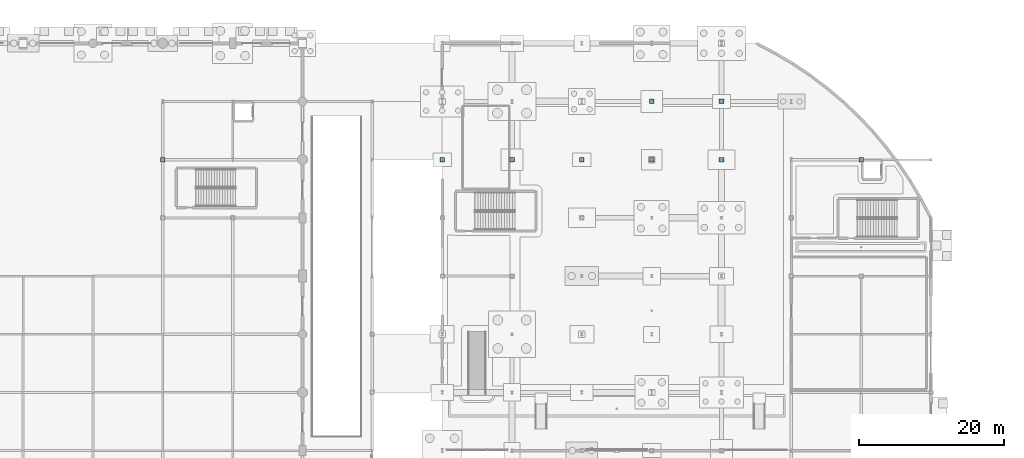
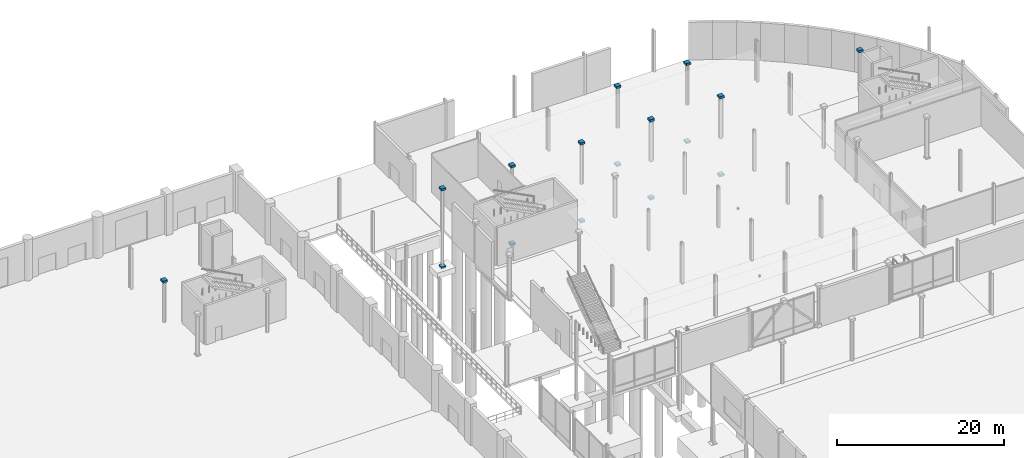
# One storey, part 101 of 124: 16 discrete accessories.
"""IFC4 building model written with IfcOpenShell, lengths in metres."""

import ifcopenshell
import ifcopenshell.guid

model = None  # the IFC model being written
_history = None  # IfcOwnerHistory: only IFC2X3 demands one
_inside = {}  # id of a spatial element -> (the spatial element, [elements in it])
_under = {}  # id of a project, library or spatial element -> (it, [spatial elements below it])
_declared = {}  # id of a project -> (the project, [libraries it declares])
_typed = {}  # id of a type object -> (the type object, [elements of that type])
_made_of = {}  # id of a material, layer set ... -> (it, [elements and type objects made of it])


def new_model(schema):
    """Start an empty IFC model of exactly this schema.

    Asked for "IFC4X3", IfcOpenShell would pick the latest addendum, in which some entities
    have other attributes; the version numbers below select the first issue.
    IFC2X3 requires an IfcOwnerHistory on every rooted entity: one is made here for all.
    """
    global model, _history
    if schema == "IFC4X3":
        model = ifcopenshell.file(schema_version=(4, 3, 0, 0))
    else:
        model = ifcopenshell.file(schema=schema)
    _inside.clear()
    _under.clear()
    _declared.clear()
    _typed.clear()
    _made_of.clear()
    _history = None
    if model.schema == "IFC2X3":
        org = make("IfcOrganization", Name="unknown")
        user = make(
            "IfcPersonAndOrganization",
            ThePerson=make("IfcPerson", FamilyName="unknown"),
            TheOrganization=org,
        )
        app = make(
            "IfcApplication",
            ApplicationDeveloper=org,
            Version="unknown",
            ApplicationFullName="unknown",
            ApplicationIdentifier="unknown",
        )
        _history = make(
            "IfcOwnerHistory",
            OwningUser=user,
            OwningApplication=app,
            ChangeAction="ADDED",
            CreationDate=0,
        )
    return model


def make(cls, **values):
    """One entity of the class cls with the attributes given. An attribute that is None is left unset."""
    return model.create_entity(
        cls, **{name: value for name, value in values.items() if value is not None}
    )


def rooted(cls, **values):
    """An entity with a GlobalId (a new one), such as an element, a storey or a relation."""
    return make(cls, GlobalId=ifcopenshell.guid.new(), OwnerHistory=_history, **values)


def si_unit(unit_type, name, prefix=None):
    """IfcSIUnit, for example si_unit("LENGTHUNIT", "METRE", prefix="MILLI")."""
    return make("IfcSIUnit", UnitType=unit_type, Prefix=prefix, Name=name)


def assignment(units):
    """IfcUnitAssignment: the units of a project."""
    return None if units is None else make("IfcUnitAssignment", Units=units)


def point(xyz):
    """IfcCartesianPoint."""
    return None if xyz is None else make("IfcCartesianPoint", Coordinates=xyz)


def direction(xyz):
    """IfcDirection."""
    return None if xyz is None else make("IfcDirection", DirectionRatios=xyz)


def frame(location, z_axis=None, x_axis=None):
    """IfcAxis2Placement3D, a coordinate frame: its origin and axes. An axis left out is left unset."""
    return make(
        "IfcAxis2Placement3D",
        Location=point(location),
        Axis=direction(z_axis),
        RefDirection=direction(x_axis),
    )


def frame_2d(location, x_axis=None):
    """IfcAxis2Placement2D, a coordinate frame in the plane: its origin and x axis."""
    return make(
        "IfcAxis2Placement2D", Location=point(location), RefDirection=direction(x_axis)
    )


def origin():
    """The frame at (0, 0, 0) with its axes left unset."""
    return frame((0.0, 0.0, 0.0))


def origin_2d():
    """The frame at (0, 0) in the plane with its x axis left unset."""
    return frame_2d((0.0, 0.0))


def place(relative_to, where):
    """IfcLocalPlacement: puts the frame where relative to a parent placement (None: the world)."""
    return make(
        "IfcLocalPlacement", PlacementRelTo=relative_to, RelativePlacement=where
    )


def context(
    kind, dimensions, precision=None, world=None, true_north=None, identifier=None
):
    """IfcGeometricRepresentationContext, for example the 3D "Model" context."""
    return make(
        "IfcGeometricRepresentationContext",
        ContextIdentifier=identifier,
        ContextType=kind,
        CoordinateSpaceDimension=dimensions,
        Precision=precision,
        WorldCoordinateSystem=world,
        TrueNorth=true_north,
    )


def subcontext(parent, identifier, kind, view, scale=None):
    """IfcGeometricRepresentationSubContext, for example "Body" below "Model"."""
    return make(
        "IfcGeometricRepresentationSubContext",
        ContextIdentifier=identifier,
        ContextType=kind,
        ParentContext=parent,
        TargetScale=scale,
        TargetView=view,
    )


def project(units=None, contexts=None):
    """IfcProject with its units and contexts."""
    return rooted(
        "IfcProject",
        Name="project",
        RepresentationContexts=contexts,
        UnitsInContext=assignment(units),
    )


def spatial(cls, under=None, at=None, **own):
    """A site, building, storey or space (cls), placed at a placement, below another one or the project."""
    s = rooted(cls, ObjectPlacement=at, **own)
    if under is not None:
        _under.setdefault(under.id(), (under, []))[1].append(s)
    return s


def profile(cls, at=None, kind="AREA", **sizes):
    """A parametric profile (cls). Its sizes go by their IFC names, for example OverallWidth=200.0."""
    return make(cls, ProfileType=kind, Position=at, **sizes)


def rectangle(**sizes):
    """IfcRectangleProfileDef."""
    return profile("IfcRectangleProfileDef", **sizes)


def extrude(swept, where, along, depth):
    """IfcExtrudedAreaSolid: the profile swept, set in the frame where, extruded along a direction by depth."""
    return make(
        "IfcExtrudedAreaSolid",
        SweptArea=swept,
        Position=where,
        ExtrudedDirection=direction(along),
        Depth=depth,
    )


def shape(context_of_items, identifier, shape_type, items):
    """IfcShapeRepresentation: the items that make up one representation, for example the "Body"."""
    return make(
        "IfcShapeRepresentation",
        ContextOfItems=context_of_items,
        RepresentationIdentifier=identifier,
        RepresentationType=shape_type,
        Items=items,
    )


def material(Name=None, Category=None):
    """IfcMaterial."""
    return make("IfcMaterial", Name=Name, Category=Category)


def made_of(thing, what):
    """Note that an element or type object is made of a material, layer set ...; save() writes the relation."""
    if what is not None:
        _made_of.setdefault(what.id(), (what, []))[1].append(thing)
    return thing


def type_object(cls, material=None, **own):
    """A type object (cls), such as IfcWallType, which elements share."""
    return made_of(rooted(cls, **own), material)


def element(
    cls,
    number,
    at=None,
    inside=None,
    cuts=None,
    type_object=None,
    material=None,
    context=None,
    identifier="Body",
    shape_type=None,
    held_by="IfcProductDefinitionShape",
    body=None,
    shapes=None,
    **own,
):
    """One element of the class cls, such as IfcWall. Its Tag is "e" and its number.

    at: its placement. inside: the storey or other place that contains it. cuts: it is an
    opening in that element (IfcRelVoidsElement). A single representation is given by context,
    identifier, shape_type and body (its items); several are given by shapes. held_by: the class
    of the entity that holds the representations. save() writes the other relations.
    """
    e = rooted(cls, Tag="e%d" % number, ObjectPlacement=at, **own)
    if body is not None:
        shapes = [shape(context, identifier, shape_type, body)]
    if shapes is not None:
        e.Representation = make(held_by, Representations=shapes)
    if inside is not None:
        _inside.setdefault(inside.id(), (inside, []))[1].append(e)
    if cuts is not None:
        rooted(
            "IfcRelVoidsElement", RelatingBuildingElement=cuts, RelatedOpeningElement=e
        )
    if type_object is not None:
        _typed.setdefault(type_object.id(), (type_object, []))[1].append(e)
    return made_of(e, material)


def aggregate(whole, parts):
    """IfcRelAggregates: a whole, such as a stair, and the parts it consists of."""
    return rooted("IfcRelAggregates", RelatingObject=whole, RelatedObjects=parts)


def save(model, path):
    """Write the relations noted so far, then the file.

    IfcRelAggregates (storeys below a building ...), IfcRelContainedInSpatialStructure (elements
    in a storey), IfcRelDefinesByType, IfcRelAssociatesMaterial and IfcRelDeclares: one each for
    every whole, place, type object, material and project.
    """
    for whole, parts in _under.values():
        aggregate(whole, parts)
    for where, things in _inside.values():
        rooted(
            "IfcRelContainedInSpatialStructure",
            RelatedElements=things,
            RelatingStructure=where,
        )
    for kind, things in _typed.values():
        rooted("IfcRelDefinesByType", RelatedObjects=things, RelatingType=kind)
    for what, things in _made_of.values():
        rooted("IfcRelAssociatesMaterial", RelatedObjects=things, RelatingMaterial=what)
    for by, libraries in _declared.values():
        rooted("IfcRelDeclares", RelatingContext=by, RelatedDefinitions=libraries)
    model.write(path)


model = new_model("IFC4")

# Units and contexts
model_context = context("Model", 3, precision=1e-05, world=origin(), true_north=direction((0.0, 1.0)))
body_context = subcontext(model_context, "Body", "Model", "MODEL_VIEW")
ifc_project = project(units=[si_unit("LENGTHUNIT", "METRE"), si_unit("AREAUNIT", "SQUARE_METRE"), si_unit("VOLUMEUNIT", "CUBIC_METRE"), si_unit("PLANEANGLEUNIT", "RADIAN"), si_unit("MASSUNIT", "GRAM", prefix="KILO")], contexts=[model_context])

# Site, building, storey
site_placement = place(None, origin())
site = spatial("IfcSite", under=ifc_project, at=site_placement, CompositionType="ELEMENT")
building_placement = place(site_placement, origin())
building = spatial("IfcBuilding", under=site, at=building_placement, Name="Danafjord Basin Convention Centre", CompositionType="ELEMENT")
storey_placement = place(building_placement, origin())
storey = spatial("IfcBuildingStorey", under=building, at=storey_placement, Name="L00", CompositionType="ELEMENT", Elevation=0.0)

# Discrete accessories
ifc_material = material(Name="Steel S355", Category="steel")
discrete_accessory_type = type_object("IfcDiscreteAccessoryType", Name="ACC-SF-HUB", PredefinedType="BRACKET", material=ifc_material)
for number, where, z_axis, x_axis, name in (
    (1, (96.0, 128.0, 5.83984375), (0.0, 0.0, 1.0), (1.0, 0.0, 0.0), "Tubular steel column top cap plate"),
    (2, (134.39990234375, 128.0, -5.56005859375), (0.0, 0.0, 1.0), (1.0, 0.0, 0.0), "Tubular steel column base collar"),
    (3, (134.39990234375, 128.0, 5.83984375), (0.0, 0.0, 1.0), (1.0, 0.0, 0.0), "Tubular steel column top cap plate"),
    (4, (144.0, 128.0, -5.56005859375), (0.0, 0.0, 1.0), (1.0, 0.0, 0.0), "Tubular steel column base collar"),
    (5, (144.0, 128.0, 5.83984375), (0.0, 0.0, 1.0), (1.0, 0.0, 0.0), "Tubular steel column top cap plate"),
    (6, (153.60009765625, 128.0, -5.56005859375), (0.0, 0.0, 1.0), (1.0, 0.0, 0.0), "Tubular steel column base collar"),
    (7, (153.60009765625, 128.0, 5.83984375), (0.0, 0.0, 1.0), (1.0, 0.0, 0.0), "Tubular steel column top cap plate"),
    (8, (163.199951171875, 128.0, -5.56005859375), (0.0, 0.0, 1.0), (1.0, 0.0, 0.0), "Tubular steel column base collar"),
    (9, (163.199951171875, 128.0, 5.83984375), (0.0, 0.0, 1.0), (1.0, 0.0, 0.0), "Tubular steel column top cap plate"),
    (10, (163.199951171875, 136.0, -5.56005859375), (0.0, 0.0, 1.0), (1.0, 0.0, 0.0), "Tubular steel column base collar"),
    (11, (163.199951171875, 136.0, 5.83984375), (0.0, 0.0, 1.0), (1.0, 0.0, 0.0), "Tubular steel column top cap plate"),
    (12, (172.800048828125, 128.0, -5.56005859375), (0.0, 0.0, 1.0), (1.0, 0.0, 0.0), "Tubular steel column base collar"),
    (13, (172.800048828125, 128.0, 5.83984375), (0.0, 0.0, 1.0), (1.0, 0.0, 0.0), "Tubular steel column top cap plate"),
    (14, (172.800048828125, 136.0, -5.56005859375), (0.0, 0.0, 1.0), (1.0, 0.0, 0.0), "Tubular steel column base collar"),
    (15, (172.800048828125, 136.0, 5.83984375), (0.0, 0.0, 1.0), (1.0, 0.0, 0.0), "Tubular steel column top cap plate"),
    (16, (192.0, 128.0, 5.83984375), (0.0, 0.0, 1.0), (1.0, 0.0, 0.0), "Tubular steel column top cap plate"),
):
    element("IfcDiscreteAccessory", number, at=place(storey_placement, frame(where, z_axis=z_axis, x_axis=x_axis)), inside=storey, type_object=discrete_accessory_type, Name=name, PredefinedType="BRACKET", context=body_context, shape_type="SweptSolid", body=[
        extrude(rectangle(XDim=0.6201171875, YDim=0.6201171875, at=origin_2d()), origin(), (0.0, 0.0, 1.0), 0.320068359375),
    ])

save(model, "model.ifc")
